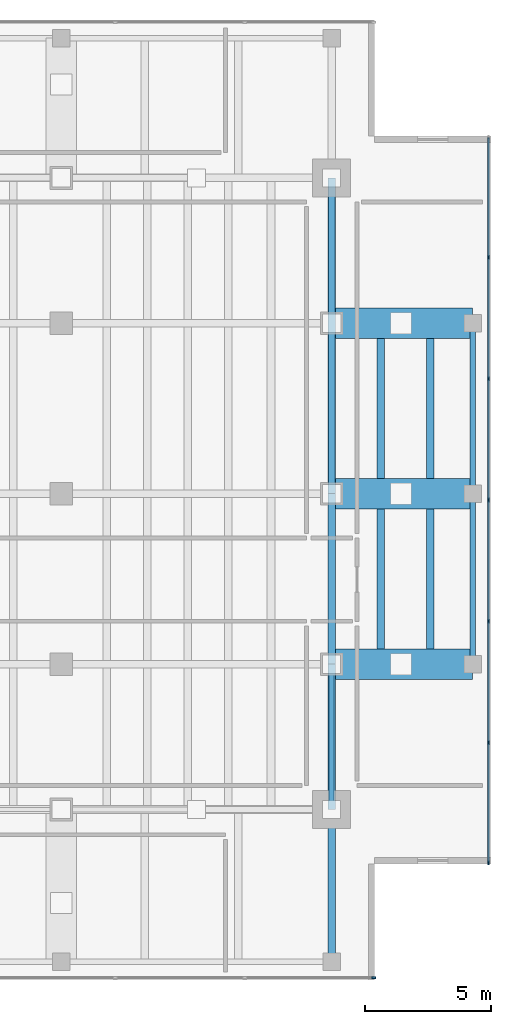
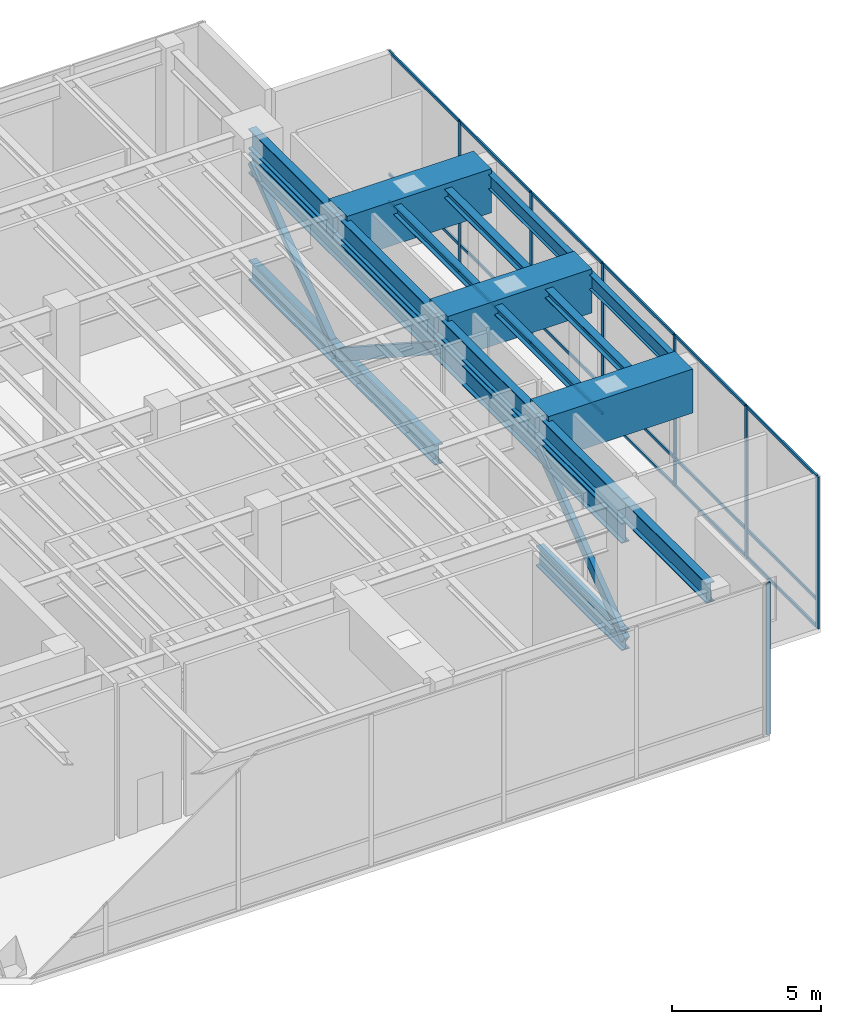
# One storey, part 5 of 11: 31 members, 14 beams, 2 elements without a shape of their own.
"""IFC4 building model written with IfcOpenShell, lengths in metres."""

from ifc_helpers import new_model, si_unit, direction, frame, origin, origin_2d, place, context, subcontext, project, spatial, rectangle, hollow_rectangle, i_section, extrude, material, layer, layer_set, material_profile, profile_set, type_object, element, aggregate, save


model = new_model("IFC4")

# Units and contexts
model_context = context("Model", 3, precision=1e-05, world=origin(), true_north=direction((0.0, 1.0)))
body_context = subcontext(model_context, "Body", "Model", "MODEL_VIEW")
ifc_project = project(units=[si_unit("LENGTHUNIT", "METRE"), si_unit("AREAUNIT", "SQUARE_METRE"), si_unit("VOLUMEUNIT", "CUBIC_METRE"), si_unit("PLANEANGLEUNIT", "RADIAN"), si_unit("MASSUNIT", "GRAM", prefix="KILO")], contexts=[model_context])

# Site, building, storey
site_placement = place(None, origin())
site = spatial("IfcSite", under=ifc_project, at=site_placement, CompositionType="ELEMENT")
building_placement = place(site_placement, origin())
building = spatial("IfcBuilding", under=site, at=building_placement, Name="Kinhvarn Gate Tower", CompositionType="ELEMENT")
storey_placement = place(building_placement, frame((0.0, 0.0, 296.64990234375)))
storey = spatial("IfcBuildingStorey", under=building, at=storey_placement, Name="L79", CompositionType="ELEMENT", Elevation=296.64990234375)

# Beams
ifc_material_1 = material(Name="Steel S355", Category="steel")
ifc_material_profile_1 = material_profile(ifc_material_1, i_section(OverallWidth=0.302978515625, OverallDepth=0.81396484375, WebThickness=0.02099609375, FlangeThickness=0.0400390625, at=origin_2d()), Name="HEM 800")
ifc_profile_set_1 = profile_set([ifc_material_profile_1], Name="Steel S355")
beam_type_1 = type_object("IfcBeamType", Name="BM-HEM800", PredefinedType="BEAM", material=ifc_profile_set_1)
beam_1_placement = place(storey_placement, frame((38.199951171875, 7.054931640625, 5.793212890625), z_axis=(0.0, 1.0, 0.0), x_axis=(-1.0, 0.0, 0.0)))
element("IfcBeam", 1, at=beam_1_placement, inside=storey, type_object=beam_type_1, Name="Floor Beam HG-22 (L79 MCE-S)", PredefinedType="BEAM", context=body_context, shape_type="SweptSolid", body=[
    extrude(i_section(OverallWidth=0.302978515625, OverallDepth=0.81396484375, WebThickness=0.02099609375, FlangeThickness=0.0400390625, at=origin_2d()), origin(), (0.0, 0.0, 1.0), 5.695068359375),
])
beam_2_placement = place(storey_placement, frame((38.199951171875, 12.75, 5.793212890625), z_axis=(0.0, 1.0, 0.0), x_axis=(-1.0, 0.0, 0.0)))
element("IfcBeam", 2, at=beam_2_placement, inside=storey, type_object=beam_type_1, Name="Floor Beam HG-22 (L79 MG-E-12)", PredefinedType="BEAM", context=body_context, shape_type="SweptSolid", body=[
    extrude(i_section(OverallWidth=0.302978515625, OverallDepth=0.81396484375, WebThickness=0.02099609375, FlangeThickness=0.0400390625, at=origin_2d()), origin(), (0.0, 0.0, 1.0), 5.75),
])
for number, where, z_axis, x_axis, name in (
    (3, (38.199951171875, 18.5, 5.793212890625), (0.0, 1.0, 0.0), (-1.0, 0.0, 0.0), "Floor Beam HG-22 (L79 MG-E-18)"),
    (4, (38.199951171875, 25.25, 5.793212890625), (0.0, 1.0, 0.0), (-1.0, 0.0, 0.0), "Floor Beam HG-22 (L79 MG-E-25)"),
):
    element("IfcBeam", number, at=place(storey_placement, frame(where, z_axis=z_axis, x_axis=x_axis)), inside=storey, type_object=beam_type_1, Name=name, PredefinedType="BEAM", context=body_context, shape_type="SweptSolid", body=[
        extrude(i_section(OverallWidth=0.302978515625, OverallDepth=0.81396484375, WebThickness=0.02099609375, FlangeThickness=0.0400390625, at=origin_2d()), origin(), (0.0, 0.0, 1.0), 6.75),
    ])
beam_3_placement = place(storey_placement, frame((38.199951171875, 32.0, 5.793212890625), z_axis=(0.0, 1.0, 0.0), x_axis=(-1.0, 0.0, 0.0)))
element("IfcBeam", 5, at=beam_3_placement, inside=storey, type_object=beam_type_1, Name="Floor Beam HG-22 (L79 MG-E-32)", PredefinedType="BEAM", context=body_context, shape_type="SweptSolid", body=[
    extrude(i_section(OverallWidth=0.302978515625, OverallDepth=0.81396484375, WebThickness=0.02099609375, FlangeThickness=0.0400390625, at=origin_2d()), origin(), (0.0, 0.0, 1.0), 5.75),
])
ifc_material_2 = material(Name="Concrete C50/60", Category="concrete")
ifc_material_profile_2 = material_profile(ifc_material_2, rectangle(XDim=1.199951171875, YDim=1.800048828125, at=origin_2d()), Name="RC 1200x1800")
ifc_profile_set_2 = profile_set([ifc_material_profile_2], Name="Concrete C50/60")
beam_type_2 = type_object("IfcBeamType", Name="BM-TG-1800", PredefinedType="BEAM", material=ifc_profile_set_2)
for number, where, z_axis, x_axis, name in (
    (6, (38.199951171875, 18.5, 5.5), (1.0, 0.0, 0.0), (0.0, 1.0, 0.0), "Setback Transfer Girder TG-03-L80-CCR-E1"),
    (7, (38.199951171875, 25.25, 5.5), (1.0, 0.0, 0.0), (0.0, 1.0, 0.0), "Setback Transfer Girder TG-03-L80-CCR-E2"),
    (8, (38.199951171875, 32.0, 5.5), (1.0, 0.0, 0.0), (0.0, 1.0, 0.0), "Setback Transfer Girder TG-03-L80-CCR-E3"),
):
    element("IfcBeam", number, at=place(storey_placement, frame(where, z_axis=z_axis, x_axis=x_axis)), inside=storey, type_object=beam_type_2, Name=name, PredefinedType="BEAM", context=body_context, shape_type="SweptSolid", body=[
        extrude(rectangle(XDim=1.199951171875, YDim=1.800048828125, at=origin_2d()), origin(), (0.0, 0.0, 1.0), 5.580078125),
    ])

# Curtain wall, member
ifc_material_3 = material(Name="Anodised aluminium AW-6063", Category="aluminium")
ifc_layer = layer(ifc_material_3, 0.199951171875)
ifc_layer_set = layer_set([ifc_layer], Name="Anodised aluminium AW-6063")
curtain_wall_type = type_object("IfcCurtainWallType", Name="CW-SYS-6", PredefinedType="NOTDEFINED", material=ifc_layer_set)
curtain_wall_1_placement = place(storey_placement, origin())
curtain_wall_1 = element("IfcCurtainWall", 9, at=curtain_wall_1_placement, inside=storey, type_object=curtain_wall_type, Name="Curtain Wall CW6 (L79)", PredefinedType="NOTDEFINED")
ifc_material_profile_3 = material_profile(ifc_material_3, rectangle(XDim=0.06494140625, YDim=0.159912109375, at=origin_2d()), Name="ALU 65x160")
ifc_profile_set_3 = profile_set([ifc_material_profile_3], Name="Anodised aluminium AW-6063")
member_type_1 = type_object("IfcMemberType", Name="CW-MUL-160", PredefinedType="MULLION", material=ifc_profile_set_3)
member_1_placement = place(storey_placement, frame((39.867431640625, 6.090087890625, 0.0), z_axis=(0.0, 0.0, 1.0), x_axis=(0.0, 1.0, 0.0)))
member_1 = element("IfcMember", 10, at=member_1_placement, type_object=member_type_1, Name="CW6 mullion 7", PredefinedType="MULLION", context=body_context, shape_type="SweptSolid", body=[
    extrude(rectangle(XDim=0.06494140625, YDim=0.159912109375, at=origin_2d()), origin(), (0.0, 0.0, 1.0), 6.2001953125),
])
aggregate(curtain_wall_1, [member_1])

# Curtain wall, members
curtain_wall_2_placement = place(storey_placement, origin())
curtain_wall_2 = element("IfcCurtainWall", 11, at=curtain_wall_2_placement, inside=storey, type_object=curtain_wall_type, Name="Curtain Wall CW6 (L79)", PredefinedType="NOTDEFINED")
member_2_placement = place(storey_placement, frame((44.409912109375, 10.632568359375, 0.0), z_axis=(0.0, 0.0, 1.0), x_axis=(-1.0, 0.0, 0.0)))
member_2 = element("IfcMember", 12, at=member_2_placement, type_object=member_type_1, Name="CW6 mullion 1", PredefinedType="MULLION", context=body_context, shape_type="SweptSolid", body=[
    extrude(rectangle(XDim=0.06494140625, YDim=0.159912109375, at=origin_2d()), origin(), (0.0, 0.0, 1.0), 6.2001953125),
])
member_3_placement = place(storey_placement, frame((44.409912109375, 15.39990234375, 0.0), z_axis=(0.0, 0.0, 1.0), x_axis=(-1.0, 0.0, 0.0)))
member_3 = element("IfcMember", 13, at=member_3_placement, type_object=member_type_1, Name="CW6 mullion 2", PredefinedType="MULLION", context=body_context, shape_type="SweptSolid", body=[
    extrude(rectangle(XDim=0.06494140625, YDim=0.159912109375, at=origin_2d()), origin(), (0.0, 0.0, 1.0), 6.2001953125),
])
member_4_placement = place(storey_placement, frame((44.409912109375, 20.199951171875, 0.0), z_axis=(0.0, 0.0, 1.0), x_axis=(-1.0, 0.0, 0.0)))
member_4 = element("IfcMember", 14, at=member_4_placement, type_object=member_type_1, Name="CW6 mullion 3", PredefinedType="MULLION", context=body_context, shape_type="SweptSolid", body=[
    extrude(rectangle(XDim=0.06494140625, YDim=0.159912109375, at=origin_2d()), origin(), (0.0, 0.0, 1.0), 6.2001953125),
])
member_5_placement = place(storey_placement, frame((44.409912109375, 25.0, 0.0), z_axis=(0.0, 0.0, 1.0), x_axis=(-1.0, 0.0, 0.0)))
member_5 = element("IfcMember", 15, at=member_5_placement, type_object=member_type_1, Name="CW6 mullion 4", PredefinedType="MULLION", context=body_context, shape_type="SweptSolid", body=[
    extrude(rectangle(XDim=0.06494140625, YDim=0.159912109375, at=origin_2d()), origin(), (0.0, 0.0, 1.0), 6.2001953125),
])
member_6_placement = place(storey_placement, frame((44.409912109375, 29.800048828125, 0.0), z_axis=(0.0, 0.0, 1.0), x_axis=(-1.0, 0.0, 0.0)))
member_6 = element("IfcMember", 16, at=member_6_placement, type_object=member_type_1, Name="CW6 mullion 5", PredefinedType="MULLION", context=body_context, shape_type="SweptSolid", body=[
    extrude(rectangle(XDim=0.06494140625, YDim=0.159912109375, at=origin_2d()), origin(), (0.0, 0.0, 1.0), 6.2001953125),
])
member_7_placement = place(storey_placement, frame((44.409912109375, 34.60009765625, 0.0), z_axis=(0.0, 0.0, 1.0), x_axis=(-1.0, 0.0, 0.0)))
member_7 = element("IfcMember", 17, at=member_7_placement, type_object=member_type_1, Name="CW6 mullion 6", PredefinedType="MULLION", context=body_context, shape_type="SweptSolid", body=[
    extrude(rectangle(XDim=0.06494140625, YDim=0.159912109375, at=origin_2d()), origin(), (0.0, 0.0, 1.0), 6.2001953125),
])
ifc_material_profile_4 = material_profile(ifc_material_3, rectangle(XDim=0.06494140625, YDim=0.1201171875, at=origin_2d()), Name="ALU 65x120")
ifc_profile_set_4 = profile_set([ifc_material_profile_4], Name="Anodised aluminium AW-6063")
member_type_2 = type_object("IfcMemberType", Name="CW-TRN-120", PredefinedType="USERDEFINED", material=ifc_profile_set_4)
member_8_placement = place(storey_placement, frame((44.409912109375, 10.6650390625, 0.03271484375), z_axis=(0.0, 1.0, 0.0), x_axis=(-1.0, 0.0, 0.0)))
member_8 = element("IfcMember", 18, at=member_8_placement, type_object=member_type_2, Name="CW6 transom 1.1", ObjectType="TRANSOM", PredefinedType="USERDEFINED", context=body_context, shape_type="SweptSolid", body=[
    extrude(rectangle(XDim=0.06494140625, YDim=0.1201171875, at=origin_2d()), origin(), (0.0, 0.0, 1.0), 4.702392578125),
])
member_9_placement = place(storey_placement, frame((44.409912109375, 10.6650390625, 1.150146484375), z_axis=(0.0, 1.0, 0.0), x_axis=(-1.0, 0.0, 0.0)))
member_9 = element("IfcMember", 19, at=member_9_placement, type_object=member_type_2, Name="CW6 transom 1.2", ObjectType="TRANSOM", PredefinedType="USERDEFINED", context=body_context, shape_type="SweptSolid", body=[
    extrude(rectangle(XDim=0.06494140625, YDim=0.1201171875, at=origin_2d()), origin(), (0.0, 0.0, 1.0), 4.702392578125),
])
member_10_placement = place(storey_placement, frame((44.409912109375, 10.6650390625, 6.16748046875), z_axis=(0.0, 1.0, 0.0), x_axis=(-1.0, 0.0, 0.0)))
member_10 = element("IfcMember", 20, at=member_10_placement, type_object=member_type_2, Name="CW6 transom 1.3", ObjectType="TRANSOM", PredefinedType="USERDEFINED", context=body_context, shape_type="SweptSolid", body=[
    extrude(rectangle(XDim=0.06494140625, YDim=0.1201171875, at=origin_2d()), origin(), (0.0, 0.0, 1.0), 4.702392578125),
])
member_11_placement = place(storey_placement, frame((44.409912109375, 15.4326171875, 0.03271484375), z_axis=(0.0, 1.0, 0.0), x_axis=(-1.0, 0.0, 0.0)))
member_11 = element("IfcMember", 21, at=member_11_placement, type_object=member_type_2, Name="CW6 transom 2.1", ObjectType="TRANSOM", PredefinedType="USERDEFINED", context=body_context, shape_type="SweptSolid", body=[
    extrude(rectangle(XDim=0.06494140625, YDim=0.1201171875, at=origin_2d()), origin(), (0.0, 0.0, 1.0), 4.73486328125),
])
member_12_placement = place(storey_placement, frame((44.409912109375, 15.4326171875, 1.150146484375), z_axis=(0.0, 1.0, 0.0), x_axis=(-1.0, 0.0, 0.0)))
member_12 = element("IfcMember", 22, at=member_12_placement, type_object=member_type_2, Name="CW6 transom 2.2", ObjectType="TRANSOM", PredefinedType="USERDEFINED", context=body_context, shape_type="SweptSolid", body=[
    extrude(rectangle(XDim=0.06494140625, YDim=0.1201171875, at=origin_2d()), origin(), (0.0, 0.0, 1.0), 4.73486328125),
])
member_13_placement = place(storey_placement, frame((44.409912109375, 15.4326171875, 6.16748046875), z_axis=(0.0, 1.0, 0.0), x_axis=(-1.0, 0.0, 0.0)))
member_13 = element("IfcMember", 23, at=member_13_placement, type_object=member_type_2, Name="CW6 transom 2.3", ObjectType="TRANSOM", PredefinedType="USERDEFINED", context=body_context, shape_type="SweptSolid", body=[
    extrude(rectangle(XDim=0.06494140625, YDim=0.1201171875, at=origin_2d()), origin(), (0.0, 0.0, 1.0), 4.73486328125),
])
member_14_placement = place(storey_placement, frame((44.409912109375, 20.232421875, 0.03271484375), z_axis=(0.0, 1.0, 0.0), x_axis=(-1.0, 0.0, 0.0)))
member_14 = element("IfcMember", 24, at=member_14_placement, type_object=member_type_2, Name="CW6 transom 3.1", ObjectType="TRANSOM", PredefinedType="USERDEFINED", context=body_context, shape_type="SweptSolid", body=[
    extrude(rectangle(XDim=0.06494140625, YDim=0.1201171875, at=origin_2d()), origin(), (0.0, 0.0, 1.0), 4.735107421875),
])
member_15_placement = place(storey_placement, frame((44.409912109375, 20.232421875, 1.150146484375), z_axis=(0.0, 1.0, 0.0), x_axis=(-1.0, 0.0, 0.0)))
member_15 = element("IfcMember", 25, at=member_15_placement, type_object=member_type_2, Name="CW6 transom 3.2", ObjectType="TRANSOM", PredefinedType="USERDEFINED", context=body_context, shape_type="SweptSolid", body=[
    extrude(rectangle(XDim=0.06494140625, YDim=0.1201171875, at=origin_2d()), origin(), (0.0, 0.0, 1.0), 4.735107421875),
])
member_16_placement = place(storey_placement, frame((44.409912109375, 20.232421875, 6.16748046875), z_axis=(0.0, 1.0, 0.0), x_axis=(-1.0, 0.0, 0.0)))
member_16 = element("IfcMember", 26, at=member_16_placement, type_object=member_type_2, Name="CW6 transom 3.3", ObjectType="TRANSOM", PredefinedType="USERDEFINED", context=body_context, shape_type="SweptSolid", body=[
    extrude(rectangle(XDim=0.06494140625, YDim=0.1201171875, at=origin_2d()), origin(), (0.0, 0.0, 1.0), 4.735107421875),
])
member_17_placement = place(storey_placement, frame((44.409912109375, 25.032470703125, 0.03271484375), z_axis=(0.0, 1.0, 0.0), x_axis=(-1.0, 0.0, 0.0)))
member_17 = element("IfcMember", 27, at=member_17_placement, type_object=member_type_2, Name="CW6 transom 4.1", ObjectType="TRANSOM", PredefinedType="USERDEFINED", context=body_context, shape_type="SweptSolid", body=[
    extrude(rectangle(XDim=0.06494140625, YDim=0.1201171875, at=origin_2d()), origin(), (0.0, 0.0, 1.0), 4.735107421875),
])
member_18_placement = place(storey_placement, frame((44.409912109375, 25.032470703125, 1.150146484375), z_axis=(0.0, 1.0, 0.0), x_axis=(-1.0, 0.0, 0.0)))
member_18 = element("IfcMember", 28, at=member_18_placement, type_object=member_type_2, Name="CW6 transom 4.2", ObjectType="TRANSOM", PredefinedType="USERDEFINED", context=body_context, shape_type="SweptSolid", body=[
    extrude(rectangle(XDim=0.06494140625, YDim=0.1201171875, at=origin_2d()), origin(), (0.0, 0.0, 1.0), 4.735107421875),
])
member_19_placement = place(storey_placement, frame((44.409912109375, 25.032470703125, 6.16748046875), z_axis=(0.0, 1.0, 0.0), x_axis=(-1.0, 0.0, 0.0)))
member_19 = element("IfcMember", 29, at=member_19_placement, type_object=member_type_2, Name="CW6 transom 4.3", ObjectType="TRANSOM", PredefinedType="USERDEFINED", context=body_context, shape_type="SweptSolid", body=[
    extrude(rectangle(XDim=0.06494140625, YDim=0.1201171875, at=origin_2d()), origin(), (0.0, 0.0, 1.0), 4.735107421875),
])
member_20_placement = place(storey_placement, frame((44.409912109375, 29.83251953125, 0.03271484375), z_axis=(0.0, 1.0, 0.0), x_axis=(-1.0, 0.0, 0.0)))
member_20 = element("IfcMember", 30, at=member_20_placement, type_object=member_type_2, Name="CW6 transom 5.1", ObjectType="TRANSOM", PredefinedType="USERDEFINED", context=body_context, shape_type="SweptSolid", body=[
    extrude(rectangle(XDim=0.06494140625, YDim=0.1201171875, at=origin_2d()), origin(), (0.0, 0.0, 1.0), 4.73486328125),
])
member_21_placement = place(storey_placement, frame((44.409912109375, 29.83251953125, 1.150146484375), z_axis=(0.0, 1.0, 0.0), x_axis=(-1.0, 0.0, 0.0)))
member_21 = element("IfcMember", 31, at=member_21_placement, type_object=member_type_2, Name="CW6 transom 5.2", ObjectType="TRANSOM", PredefinedType="USERDEFINED", context=body_context, shape_type="SweptSolid", body=[
    extrude(rectangle(XDim=0.06494140625, YDim=0.1201171875, at=origin_2d()), origin(), (0.0, 0.0, 1.0), 4.73486328125),
])
member_22_placement = place(storey_placement, frame((44.409912109375, 29.83251953125, 6.16748046875), z_axis=(0.0, 1.0, 0.0), x_axis=(-1.0, 0.0, 0.0)))
member_22 = element("IfcMember", 32, at=member_22_placement, type_object=member_type_2, Name="CW6 transom 5.3", ObjectType="TRANSOM", PredefinedType="USERDEFINED", context=body_context, shape_type="SweptSolid", body=[
    extrude(rectangle(XDim=0.06494140625, YDim=0.1201171875, at=origin_2d()), origin(), (0.0, 0.0, 1.0), 4.73486328125),
])
member_23_placement = place(storey_placement, frame((44.409912109375, 34.632568359375, 0.03271484375), z_axis=(0.0, 1.0, 0.0), x_axis=(-1.0, 0.0, 0.0)))
member_23 = element("IfcMember", 33, at=member_23_placement, type_object=member_type_2, Name="CW6 transom 6.1", ObjectType="TRANSOM", PredefinedType="USERDEFINED", context=body_context, shape_type="SweptSolid", body=[
    extrude(rectangle(XDim=0.06494140625, YDim=0.1201171875, at=origin_2d()), origin(), (0.0, 0.0, 1.0), 4.702392578125),
])
member_24_placement = place(storey_placement, frame((44.409912109375, 34.632568359375, 1.150146484375), z_axis=(0.0, 1.0, 0.0), x_axis=(-1.0, 0.0, 0.0)))
member_24 = element("IfcMember", 34, at=member_24_placement, type_object=member_type_2, Name="CW6 transom 6.2", ObjectType="TRANSOM", PredefinedType="USERDEFINED", context=body_context, shape_type="SweptSolid", body=[
    extrude(rectangle(XDim=0.06494140625, YDim=0.1201171875, at=origin_2d()), origin(), (0.0, 0.0, 1.0), 4.702392578125),
])
member_25_placement = place(storey_placement, frame((44.409912109375, 34.632568359375, 6.16748046875), z_axis=(0.0, 1.0, 0.0), x_axis=(-1.0, 0.0, 0.0)))
member_25 = element("IfcMember", 35, at=member_25_placement, type_object=member_type_2, Name="CW6 transom 6.3", ObjectType="TRANSOM", PredefinedType="USERDEFINED", context=body_context, shape_type="SweptSolid", body=[
    extrude(rectangle(XDim=0.06494140625, YDim=0.1201171875, at=origin_2d()), origin(), (0.0, 0.0, 1.0), 4.702392578125),
])
aggregate(curtain_wall_2, [member_2, member_3, member_4, member_5, member_6, member_7, member_8, member_9, member_10, member_11, member_12, member_13, member_14, member_15, member_16, member_17, member_18, member_19, member_20, member_21, member_22, member_23, member_24, member_25])

# Members
ifc_material_profile_5 = material_profile(ifc_material_1, hollow_rectangle(XDim=0.199951171875, YDim=0.39990234375, WallThickness=0.01611328125, at=origin_2d()), Name="RHS 400x200x16")
ifc_profile_set_5 = profile_set([ifc_material_profile_5], Name="Steel S355")
member_type_3 = type_object("IfcMemberType", Name="MBR-RHS400x200x16", PredefinedType="BRACE", material=ifc_profile_set_5)
member_26_placement = place(storey_placement, frame((38.199951171875, 12.75, 0.406982421875), z_axis=(0.0, 0.795079761591, 0.606504882674), x_axis=(-1.0, 0.0, 0.0)))
element("IfcMember", 36, at=member_26_placement, inside=storey, type_object=member_type_3, Name="Belt Truss Spine Diagonal BR-04 (RHS 400x200x16)", PredefinedType="BRACE", context=body_context, shape_type="SweptSolid", body=[
    extrude(hollow_rectangle(XDim=0.199951171875, YDim=0.39990234375, WallThickness=0.01611328125, at=origin_2d()), origin(), (0.0, 0.0, 1.0), 7.23193359375),
])
ifc_material_profile_6 = material_profile(ifc_material_1, hollow_rectangle(XDim=0.25, YDim=0.449951171875, WallThickness=0.01611328125, at=origin_2d()), Name="RHS 450x250x16")
ifc_profile_set_6 = profile_set([ifc_material_profile_6], Name="Steel S355")
member_type_4 = type_object("IfcMemberType", Name="MBR-RHS450x250x16", PredefinedType="BRACE", material=ifc_profile_set_6)
member_27_placement = place(storey_placement, frame((38.199951171875, 25.25, 4.793212890625), z_axis=(0.0, 0.838515671896, -0.544877479792), x_axis=(-1.0, 0.0, 0.0)))
element("IfcMember", 37, at=member_27_placement, inside=storey, type_object=member_type_4, Name="Belt Truss Spine Diagonal BR-05 (RHS 450x250x16)", PredefinedType="BRACE", context=body_context, shape_type="SweptSolid", body=[
    extrude(hollow_rectangle(XDim=0.25, YDim=0.449951171875, WallThickness=0.01611328125, at=origin_2d()), origin(), (0.0, 0.0, 1.0), 8.050048828125),
])
ifc_material_profile_7 = material_profile(ifc_material_1, hollow_rectangle(XDim=0.25, YDim=0.25, WallThickness=0.011962890625, at=origin_2d()), Name="SHS 250x250x12")
ifc_profile_set_7 = profile_set([ifc_material_profile_7], Name="Steel S355")
member_type_5 = type_object("IfcMemberType", Name="MBR-SHS250x250x12", PredefinedType="BRACE", material=ifc_profile_set_7)
member_28_placement = place(storey_placement, frame((38.199951171875, 32.0, 0.406982421875), z_axis=(0.0, 0.795079761591, 0.606504882674), x_axis=(-1.0, 0.0, 0.0)))
element("IfcMember", 38, at=member_28_placement, inside=storey, type_object=member_type_5, Name="Belt Truss Spine Diagonal BR-06 (SHS 250x250x12)", PredefinedType="BRACE", context=body_context, shape_type="SweptSolid", body=[
    extrude(hollow_rectangle(XDim=0.25, YDim=0.25, WallThickness=0.011962890625, at=origin_2d()), origin(), (0.0, 0.0, 1.0), 7.23193359375),
])

# Beams
ifc_material_profile_8 = material_profile(ifc_material_1, i_section(OverallWidth=0.300048828125, OverallDepth=0.360107421875, WebThickness=0.012451171875, FlangeThickness=0.0224609375, at=origin_2d()), Name="HEB 360")
ifc_profile_set_8 = profile_set([ifc_material_profile_8], Name="Steel S355")
beam_type_3 = type_object("IfcBeamType", Name="STL-HEB360", PredefinedType="BEAM", material=ifc_profile_set_8)
for number, where, z_axis, x_axis, name in (
    (39, (40.14990234375, 19.10009765625, 6.02001953125), (0.0, 1.0, 0.0), (-1.0, 0.0, 0.0), "Floor Beam PG-11 (L79 JC-X401-1)"),
    (40, (40.14990234375, 25.85009765625, 6.02001953125), (0.0, 1.0, 0.0), (-1.0, 0.0, 0.0), "Floor Beam PG-11 (L79 JC-X401-2)"),
    (41, (42.110107421875, 19.10009765625, 6.02001953125), (0.0, 1.0, 0.0), (-1.0, 0.0, 0.0), "Floor Beam PG-11 (L79 JC-X421-1)"),
    (42, (42.110107421875, 25.85009765625, 6.02001953125), (0.0, 1.0, 0.0), (-1.0, 0.0, 0.0), "Floor Beam PG-11 (L79 JC-X421-2)"),
):
    element("IfcBeam", number, at=place(storey_placement, frame(where, z_axis=z_axis, x_axis=x_axis)), inside=storey, type_object=beam_type_3, Name=name, PredefinedType="BEAM", context=body_context, shape_type="SweptSolid", body=[
        extrude(i_section(OverallWidth=0.300048828125, OverallDepth=0.360107421875, WebThickness=0.012451171875, FlangeThickness=0.0224609375, at=origin_2d()), origin(), (0.0, 0.0, 1.0), 5.5498046875),
    ])

# Members
ifc_material_profile_9 = material_profile(ifc_material_1, i_section(OverallWidth=0.302978515625, OverallDepth=0.81396484375, WebThickness=0.02099609375, FlangeThickness=0.0400390625, at=origin_2d()), Name="HEM 800")
ifc_profile_set_9 = profile_set([ifc_material_profile_9], Name="Steel S355")
member_type_6 = type_object("IfcMemberType", Name="STL-HEM800", PredefinedType="CHORD", material=ifc_profile_set_9)
member_29_placement = place(storey_placement, frame((38.199951171875, 12.75, 0.406982421875), z_axis=(0.0, 1.0, 0.0), x_axis=(-1.0, 0.0, 0.0)))
element("IfcMember", 43, at=member_29_placement, inside=storey, type_object=member_type_6, Name="Outrigger Belt Chord BC-22 (L79 BLT-EA-BOT)", PredefinedType="CHORD", context=body_context, shape_type="SweptSolid", body=[
    extrude(i_section(OverallWidth=0.302978515625, OverallDepth=0.81396484375, WebThickness=0.02099609375, FlangeThickness=0.0400390625, at=origin_2d()), origin(), (0.0, 0.0, 1.0), 5.75),
])
member_30_placement = place(storey_placement, frame((38.199951171875, 25.25, 0.406982421875), z_axis=(0.0, 1.0, 0.0), x_axis=(-1.0, 0.0, 0.0)))
element("IfcMember", 44, at=member_30_placement, inside=storey, type_object=member_type_6, Name="Outrigger Belt Chord BC-22 (L79 BLT-EB-BOT)", PredefinedType="CHORD", context=body_context, shape_type="SweptSolid", body=[
    extrude(i_section(OverallWidth=0.302978515625, OverallDepth=0.81396484375, WebThickness=0.02099609375, FlangeThickness=0.0400390625, at=origin_2d()), origin(), (0.0, 0.0, 1.0), 12.5),
])
member_31_placement = place(storey_placement, frame((38.199951171875, 12.75, 4.793212890625), z_axis=(0.0, 1.0, 0.0), x_axis=(-1.0, 0.0, 0.0)))
element("IfcMember", 45, at=member_31_placement, inside=storey, type_object=member_type_6, Name="Outrigger Belt Chord BC-22 (L79 BLT-E-TOP)", PredefinedType="CHORD", context=body_context, shape_type="SweptSolid", body=[
    extrude(i_section(OverallWidth=0.302978515625, OverallDepth=0.81396484375, WebThickness=0.02099609375, FlangeThickness=0.0400390625, at=origin_2d()), origin(), (0.0, 0.0, 1.0), 25.0),
])

# Beams
ifc_material_profile_10 = material_profile(ifc_material_1, i_section(OverallWidth=0.219970703125, OverallDepth=0.60009765625, WebThickness=0.011962890625, FlangeThickness=0.01904296875, at=origin_2d()), Name="IPE 600")
ifc_profile_set_10 = profile_set([ifc_material_profile_10], Name="Steel S355")
beam_type_4 = type_object("IfcBeamType", Name="STL-IPE600", PredefinedType="SPANDREL", material=ifc_profile_set_10)
for number, where, z_axis, x_axis, name in (
    (46, (43.780029296875, 18.5, 5.900146484375), (0.0, 1.0, 0.0), (-1.0, 0.0, 0.0), "Floor Spandrel SB-09 (L79 SP-E2)"),
    (47, (43.780029296875, 25.25, 5.900146484375), (0.0, 1.0, 0.0), (-1.0, 0.0, 0.0), "Floor Spandrel SB-09 (L79 SP-E3)"),
):
    element("IfcBeam", number, at=place(storey_placement, frame(where, z_axis=z_axis, x_axis=x_axis)), inside=storey, type_object=beam_type_4, Name=name, PredefinedType="SPANDREL", context=body_context, shape_type="SweptSolid", body=[
        extrude(i_section(OverallWidth=0.219970703125, OverallDepth=0.60009765625, WebThickness=0.011962890625, FlangeThickness=0.01904296875, at=origin_2d()), origin(), (0.0, 0.0, 1.0), 6.75),
    ])

save(model, "model.ifc")
